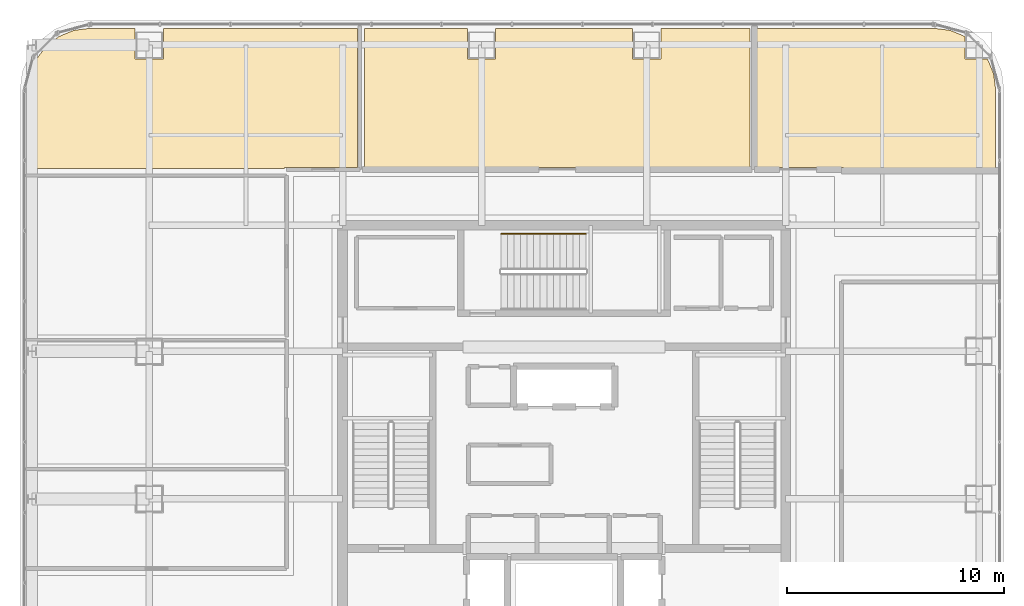
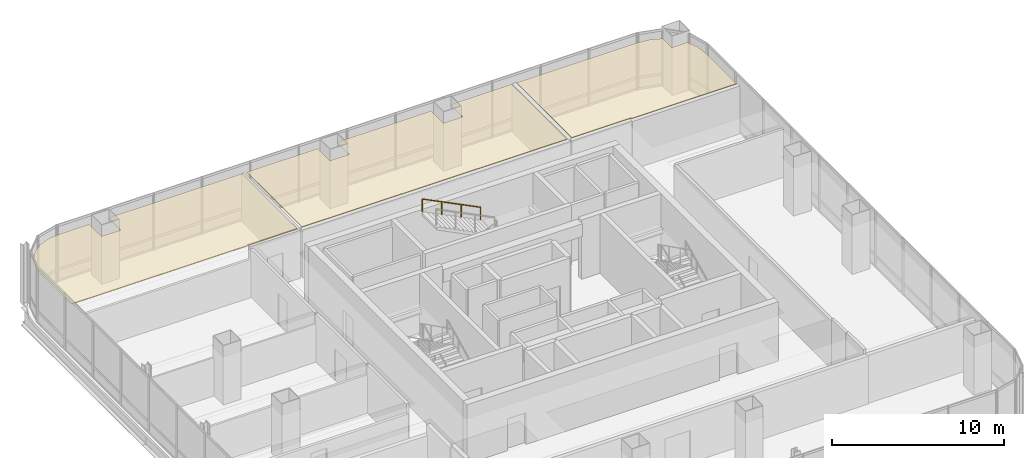
# One storey, part 42 of 42: 3 coverings, 1 railing.
"""IFC4 building model written with IfcOpenShell, lengths in metres."""

from ifc_helpers import new_model, si_unit, direction, frame, origin, origin_2d, place, context, subcontext, project, spatial, polyline, circle, outline, extrude, material, layer, layer_set, type_object, element, save


model = new_model("IFC4")

# Units and contexts
model_context = context("Model", 3, precision=1e-05, world=origin(), true_north=direction((0.0, 1.0)))
body_context = subcontext(model_context, "Body", "Model", "MODEL_VIEW")
ifc_project = project(units=[si_unit("LENGTHUNIT", "METRE"), si_unit("AREAUNIT", "SQUARE_METRE"), si_unit("VOLUMEUNIT", "CUBIC_METRE"), si_unit("PLANEANGLEUNIT", "RADIAN"), si_unit("MASSUNIT", "GRAM", prefix="KILO")], contexts=[model_context])

# Site, building, storey
site_placement = place(None, origin())
site = spatial("IfcSite", under=ifc_project, at=site_placement, CompositionType="ELEMENT")
building_placement = place(site_placement, origin())
building = spatial("IfcBuilding", under=site, at=building_placement, Name="Punatoya Terracotta Tower", CompositionType="ELEMENT")
storey_placement = place(building_placement, frame((0.0, 0.0, 325.800048828125)))
storey = spatial("IfcBuildingStorey", under=building, at=storey_placement, Name="L77", CompositionType="ELEMENT", Elevation=325.800048828125)

# Coverings
ifc_material_1 = material(Name="Acoustic Mineral Fibre Ceiling")
ifc_layer = layer(ifc_material_1, 0.06005859375)
ifc_layer_set = layer_set([ifc_layer], Name="Acoustic Mineral Fibre Ceiling")
covering_type = type_object("IfcCoveringType", Name="COV-CEIL-60", PredefinedType="CEILING", material=ifc_layer_set)
covering_1_placement = place(storey_placement, frame((0.0, 0.0, 3.389892578125)))
element("IfcCovering", 1, at=covering_1_placement, inside=storey, type_object=covering_type, Name="L77 Open-Plan Barista Espresso Pantry Acoustic Ceiling", PredefinedType="CEILING", context=body_context, shape_type="SweptSolid", body=[
    extrude(outline(polyline([(-19.75, 18.27001953125), (-21.8251953125, 18.27001953125), (-22.5791015625, 18.1708984375), (-23.25830078125, 17.889404296875), (-23.841796875, 17.441650390625), (-24.289306640625, 16.8583984375), (-24.57080078125, 16.178955078125), (-24.669921875, 15.425048828125), (-24.669921875, 11.81005859375), (-12.8701171875, 11.81005859375), (-12.8701171875, 11.8701171875), (-9.5048828125, 11.8701171875), (-9.5048828125, 18.27001953125), (-18.449951171875, 18.27001953125), (-18.449951171875, 16.85009765625), (-19.75, 16.85009765625), (-19.75, 18.27001953125)])), origin(), (0.0, 0.0, 1.0), 0.06005859375),
])
covering_2_placement = place(storey_placement, frame((0.0, 0.0, 3.389892578125)))
element("IfcCovering", 2, at=covering_2_placement, inside=storey, type_object=covering_type, Name="L77 Open-Plan Waterfront Club Lounge Acoustic Ceiling", PredefinedType="CEILING", context=body_context, shape_type="SweptSolid", body=[
    extrude(outline(polyline([(12.8701171875, 11.81005859375), (19.8701171875, 11.81005859375), (19.8701171875, 15.425048828125), (19.770751953125, 16.178955078125), (19.492919921875, 16.85009765625), (18.449951171875, 16.85009765625), (18.449951171875, 17.892822265625), (17.779052734375, 18.1708984375), (17.025146484375, 18.27001953125), (8.8720703125, 18.27001953125), (8.8720703125, 11.8701171875), (12.8701171875, 11.8701171875), (12.8701171875, 11.81005859375)])), origin(), (0.0, 0.0, 1.0), 0.06005859375),
])
covering_3_placement = place(storey_placement, frame((0.0, 0.0, 3.389892578125)))
element("IfcCovering", 3, at=covering_3_placement, inside=storey, type_object=covering_type, Name="L77 Open-Plan Terrace Refreshment Lounge Acoustic Ceiling", PredefinedType="CEILING", context=body_context, shape_type="SweptSolid", body=[
    extrude(outline(polyline([(-4.449951171875, 16.85009765625), (-4.449951171875, 18.27001953125), (-9.18505859375, 18.27001953125), (-9.18505859375, 11.8701171875), (8.552001953125, 11.8701171875), (8.552001953125, 18.27001953125), (4.449951171875, 18.27001953125), (4.449951171875, 16.85009765625), (3.14990234375, 16.85009765625), (3.14990234375, 18.27001953125), (-3.14990234375, 18.27001953125), (-3.14990234375, 16.85009765625), (-4.449951171875, 16.85009765625)])), origin(), (0.0, 0.0, 1.0), 0.06005859375),
])

# Railing
ifc_material_2 = material(Name="Steel S355", Category="steel")
railing_type = type_object("IfcRailingType", Name="RLG-HND-900", PredefinedType="HANDRAIL", material=ifc_material_2)
railing_placement = place(storey_placement, frame((1.0, 8.800048828125, 2.25)))
element("IfcRailing", 4, at=railing_placement, inside=storey, type_object=railing_type, Name="L77 ST-3 stair handrail 2", PredefinedType="HANDRAIL", context=body_context, shape_type="SweptSolid", body=[
    extrude(circle(Radius=0.02392578125, at=origin_2d()), frame((0.0, 0.0, 0.8759765625), z_axis=(-0.894427191, 0.0, 0.4472135955), x_axis=(0.0, -1.0, 0.0)), (0.0, 0.0, 1.0), 4.360107421875),
    extrude(circle(Radius=0.02099609375, at=origin_2d()), origin(), (0.0, 0.0, 1.0), 0.851806640625),
    extrude(circle(Radius=0.02099609375, at=origin_2d()), frame((-1.300048828125, 0.0, 0.64990234375)), (0.0, 0.0, 1.0), 0.851806640625),
    extrude(circle(Radius=0.02099609375, at=origin_2d()), frame((-2.599853515625, 0.0, 1.300048828125)), (0.0, 0.0, 1.0), 0.851806640625),
    extrude(circle(Radius=0.02099609375, at=origin_2d()), frame((-3.89990234375, 0.0, 1.949951171875)), (0.0, 0.0, 1.0), 0.851806640625),
])

save(model, "model.ifc")
